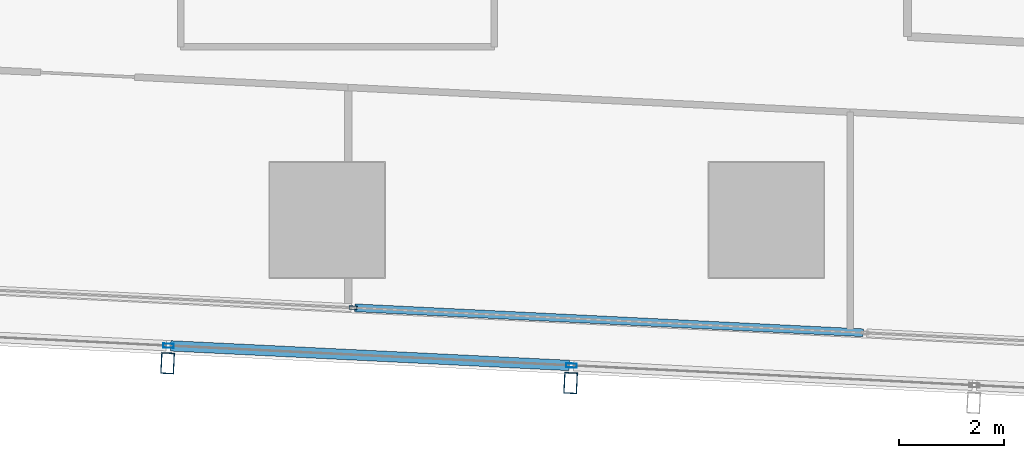
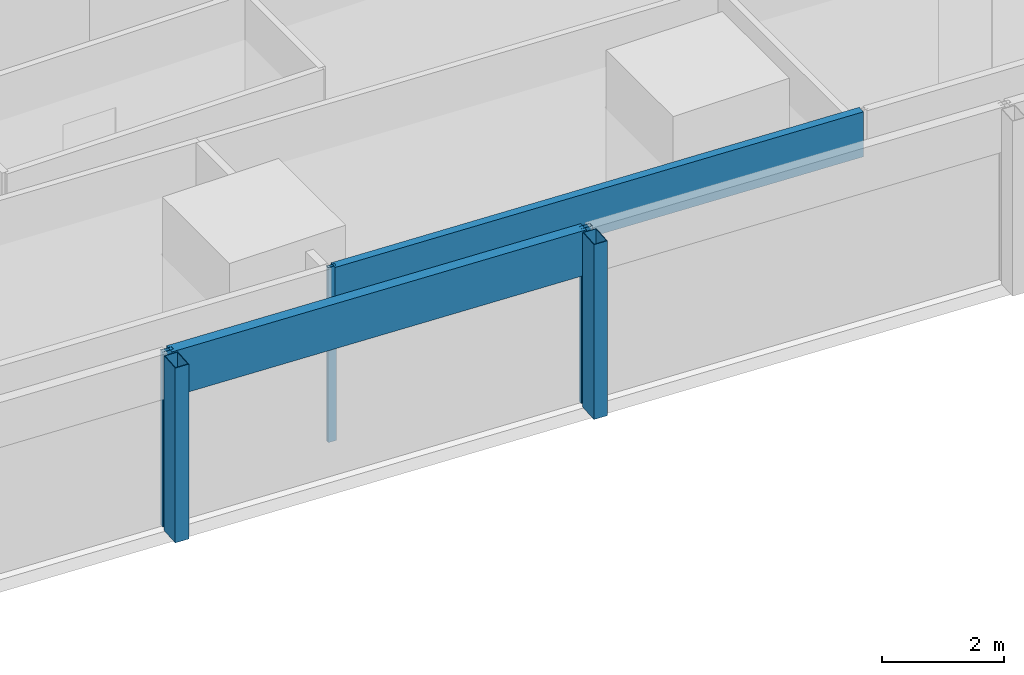
# One storey, part 5 of 42: 7 members, 2 elements without a shape of their own.
"""IFC4 building model written with IfcOpenShell, lengths in metres."""

from ifc_helpers import new_model, si_unit, direction, frame, origin, origin_2d, place, context, subcontext, project, spatial, hollow_rectangle, extrude, material, material_profile, profile_set, type_object, element, aggregate, save


model = new_model("IFC4")

# Units and contexts
model_context = context("Model", 3, precision=1e-05, world=origin(), true_north=direction((0.0, 1.0)))
body_context = subcontext(model_context, "Body", "Model", "MODEL_VIEW")
ifc_project = project(units=[si_unit("LENGTHUNIT", "METRE"), si_unit("AREAUNIT", "SQUARE_METRE"), si_unit("VOLUMEUNIT", "CUBIC_METRE"), si_unit("PLANEANGLEUNIT", "RADIAN"), si_unit("MASSUNIT", "GRAM", prefix="KILO")], contexts=[model_context])

# Site, building, storey
site_placement = place(None, origin())
site = spatial("IfcSite", under=ifc_project, at=site_placement, CompositionType="ELEMENT")
building_placement = place(site_placement, origin())
building = spatial("IfcBuilding", under=site, at=building_placement, Name="Rekha Terrace Tower", CompositionType="ELEMENT")
storey_placement = place(building_placement, frame((0.0, 0.0, 40.39990234375)))
storey = spatial("IfcBuildingStorey", under=building, at=storey_placement, Name="L09", CompositionType="ELEMENT", Elevation=40.39990234375)

# Curtain wall, members
ifc_material_1 = material(Name="Aluminium framing", Category="aluminium")
curtain_wall_type_1 = type_object("IfcCurtainWallType", Name="CW2 double skin outer glazing", PredefinedType="USERDEFINED", material=ifc_material_1)
curtain_wall_1_placement = place(storey_placement, origin())
curtain_wall_1 = element("IfcCurtainWall", 1, at=curtain_wall_1_placement, inside=storey, type_object=curtain_wall_type_1, Name="CW2 double skin outer glazing", ObjectType="DOUBLE SKIN OUTER GLAZING", PredefinedType="USERDEFINED")
ifc_material_2 = material(Name="Steel S355 with fluorocarbon finish", Category="steel")
ifc_material_profile_1 = material_profile(ifc_material_2, hollow_rectangle(XDim=0.25, YDim=0.39990234375, WallThickness=0.012451171875, at=origin_2d()), Name="RHS400x250x12.5")
ifc_profile_set_1 = profile_set([ifc_material_profile_1], Name="Steel S355 with fluorocarbon finish")
member_type_1 = type_object("IfcMemberType", Name="BL1 facade blade RHS 400 x 250", PredefinedType="USERDEFINED", material=ifc_profile_set_1)
member_1_placement = place(storey_placement, frame((22.14990234375, 5.6611328125, 0.0), z_axis=(0.0, 0.0, 1.0), x_axis=(0.998796226835, -0.049051985279, 0.0)))
member_1 = element("IfcMember", 2, at=member_1_placement, type_object=member_type_1, Name="Facade blade", ObjectType="FACADE BLADE", PredefinedType="USERDEFINED", context=body_context, shape_type="SweptSolid", body=[
    extrude(hollow_rectangle(XDim=0.25, YDim=0.39990234375, WallThickness=0.012451171875, at=origin_2d()), origin(), (0.0, 0.0, 1.0), 3.5),
])
member_2_placement = place(storey_placement, frame((29.856201171875, 5.28271484375, 0.0), z_axis=(0.0, 0.0, 1.0), x_axis=(0.998796226835, -0.049051985279, 0.0)))
member_2 = element("IfcMember", 3, at=member_2_placement, type_object=member_type_1, Name="Facade blade", ObjectType="FACADE BLADE", PredefinedType="USERDEFINED", context=body_context, shape_type="SweptSolid", body=[
    extrude(hollow_rectangle(XDim=0.25, YDim=0.39990234375, WallThickness=0.012451171875, at=origin_2d()), origin(), (0.0, 0.0, 1.0), 3.5),
])

curtain_wall_type_2 = type_object("IfcCurtainWallType", Name="CW1 double skin inner glazing", PredefinedType="USERDEFINED", material=ifc_material_1)
curtain_wall_2_placement = place(storey_placement, origin())
curtain_wall_2 = element("IfcCurtainWall", 4, at=curtain_wall_2_placement, inside=storey, type_object=curtain_wall_type_2, Name="CW1 double skin inner glazing", ObjectType="DOUBLE SKIN INNER GLAZING", PredefinedType="USERDEFINED")
ifc_material_3 = material(Name="Aluminium mullion section", Category="aluminium")
ifc_material_profile_2 = material_profile(ifc_material_3, hollow_rectangle(XDim=0.06494140625, YDim=0.14990234375, WallThickness=0.00390625, at=origin_2d()), Name="AL RHS 65x150")
ifc_profile_set_2 = profile_set([ifc_material_profile_2], Name="Aluminium mullion section")
member_type_2 = type_object("IfcMemberType", Name="CW1 mullion RHS 65 x 150", PredefinedType="MULLION", material=ifc_profile_set_2)
member_3_placement = place(storey_placement, frame((25.696044921875, 6.723388671875, 0.0), z_axis=(0.0, 0.0, 1.0), x_axis=(0.049051717746, 0.998796239974, 0.0)))
member_3 = element("IfcMember", 5, at=member_3_placement, type_object=member_type_2, Name="CW1 mullion 2", PredefinedType="MULLION", context=body_context, shape_type="SweptSolid", body=[
    extrude(hollow_rectangle(XDim=0.06494140625, YDim=0.14990234375, WallThickness=0.00390625, at=origin_2d()), origin(), (0.0, 0.0, 1.0), 3.5),
])
ifc_material_4 = material(Name="Insulated aluminium spandrel box", Category="aluminium")
ifc_material_profile_3 = material_profile(ifc_material_4, hollow_rectangle(XDim=0.14990234375, YDim=0.89990234375, WallThickness=0.0029296875, at=origin_2d()), Name="AL SPANDREL BOX 150x900")
ifc_profile_set_3 = profile_set([ifc_material_profile_3], Name="Insulated aluminium spandrel box")
member_type_3 = type_object("IfcMemberType", Name="CW1 spandrel transom 150 x 900", PredefinedType="USERDEFINED", material=ifc_profile_set_3)
member_4_placement = place(storey_placement, frame((25.728515625, 6.721923828125, 3.050048828125), z_axis=(0.998796042167, -0.049055745348, 0.0), x_axis=(0.049055745348, 0.998796042167, 0.0)))
member_4 = element("IfcMember", 6, at=member_4_placement, type_object=member_type_3, Name="CW1 spandrel transom 2", ObjectType="TRANSOM", PredefinedType="USERDEFINED", context=body_context, shape_type="SweptSolid", body=[
    extrude(hollow_rectangle(XDim=0.14990234375, YDim=0.89990234375, WallThickness=0.0029296875, at=origin_2d()), origin(), (0.0, 0.0, 1.0), 9.734619140625),
])
aggregate(curtain_wall_2, [member_3, member_4])

# Member
ifc_material_profile_4 = material_profile(ifc_material_3, hollow_rectangle(XDim=0.080078125, YDim=0.199951171875, WallThickness=0.00390625, at=origin_2d()), Name="AL RHS 80x200")
ifc_profile_set_4 = profile_set([ifc_material_profile_4], Name="Aluminium mullion section")
member_type_4 = type_object("IfcMemberType", Name="CW2 mullion RHS 80 x 200", PredefinedType="MULLION", material=ifc_profile_set_4)
member_5_placement = place(storey_placement, frame((22.166259765625, 5.99560546875, 0.0), z_axis=(0.0, 0.0, 1.0), x_axis=(0.049051717746, 0.998796239974, 0.0)))
member_5 = element("IfcMember", 7, at=member_5_placement, type_object=member_type_4, Name="CW2 mullion 3", PredefinedType="MULLION", context=body_context, shape_type="SweptSolid", body=[
    extrude(hollow_rectangle(XDim=0.080078125, YDim=0.199951171875, WallThickness=0.00390625, at=origin_2d()), origin(), (0.0, 0.0, 1.0), 3.5),
])

member_6_placement = place(storey_placement, frame((29.872802734375, 5.6171875, 0.0), z_axis=(0.0, 0.0, 1.0), x_axis=(0.049051717746, 0.998796239974, 0.0)))
member_6 = element("IfcMember", 8, at=member_6_placement, type_object=member_type_4, Name="CW2 mullion 4", PredefinedType="MULLION", context=body_context, shape_type="SweptSolid", body=[
    extrude(hollow_rectangle(XDim=0.080078125, YDim=0.199951171875, WallThickness=0.00390625, at=origin_2d()), origin(), (0.0, 0.0, 1.0), 3.5),
])

ifc_material_profile_5 = material_profile(ifc_material_4, hollow_rectangle(XDim=0.199951171875, YDim=0.89990234375, WallThickness=0.0029296875, at=origin_2d()), Name="AL SPANDREL BOX 200x900")
ifc_profile_set_5 = profile_set([ifc_material_profile_5], Name="Insulated aluminium spandrel box")
member_type_5 = type_object("IfcMemberType", Name="CW2 spandrel transom 200 x 900", PredefinedType="USERDEFINED", material=ifc_profile_set_5)
member_7_placement = place(storey_placement, frame((22.206298828125, 5.99365234375, 3.050048828125), z_axis=(0.998796434643, -0.049047753721, 0.0), x_axis=(0.049047753721, 0.998796434643, 0.0)))
member_7 = element("IfcMember", 9, at=member_7_placement, type_object=member_type_5, Name="CW2 spandrel transom 3", ObjectType="TRANSOM", PredefinedType="USERDEFINED", context=body_context, shape_type="SweptSolid", body=[
    extrude(hollow_rectangle(XDim=0.199951171875, YDim=0.89990234375, WallThickness=0.0029296875, at=origin_2d()), origin(), (0.0, 0.0, 1.0), 7.6357421875),
])

aggregate(curtain_wall_1, [member_5, member_6, member_7, member_1, member_2])

save(model, "model.ifc")
